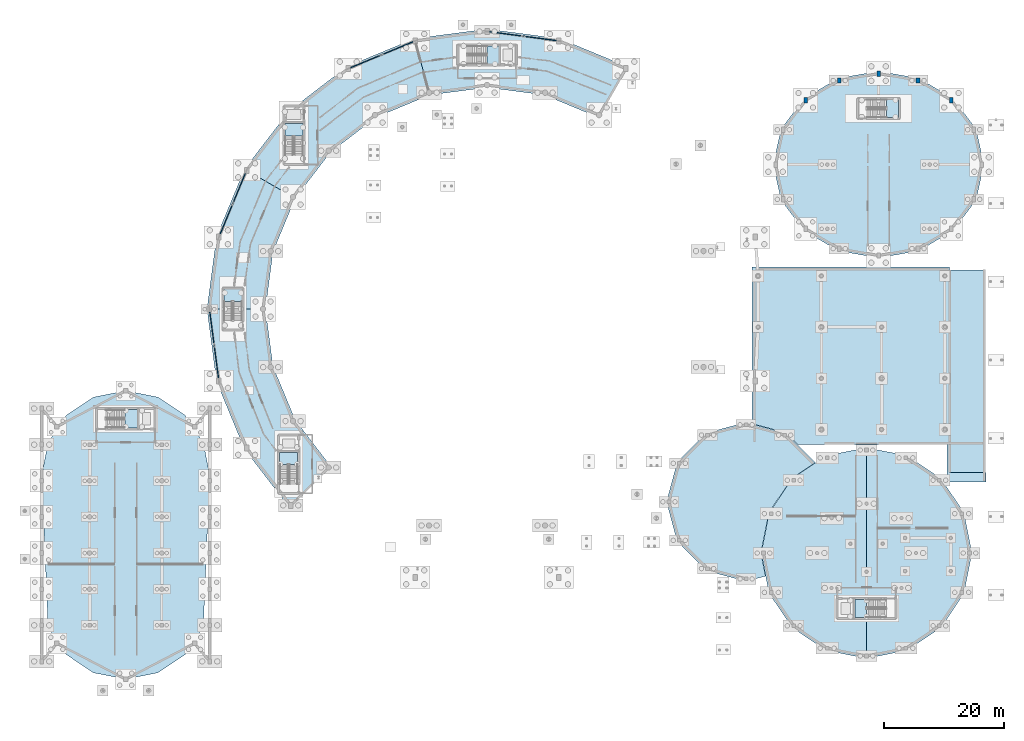
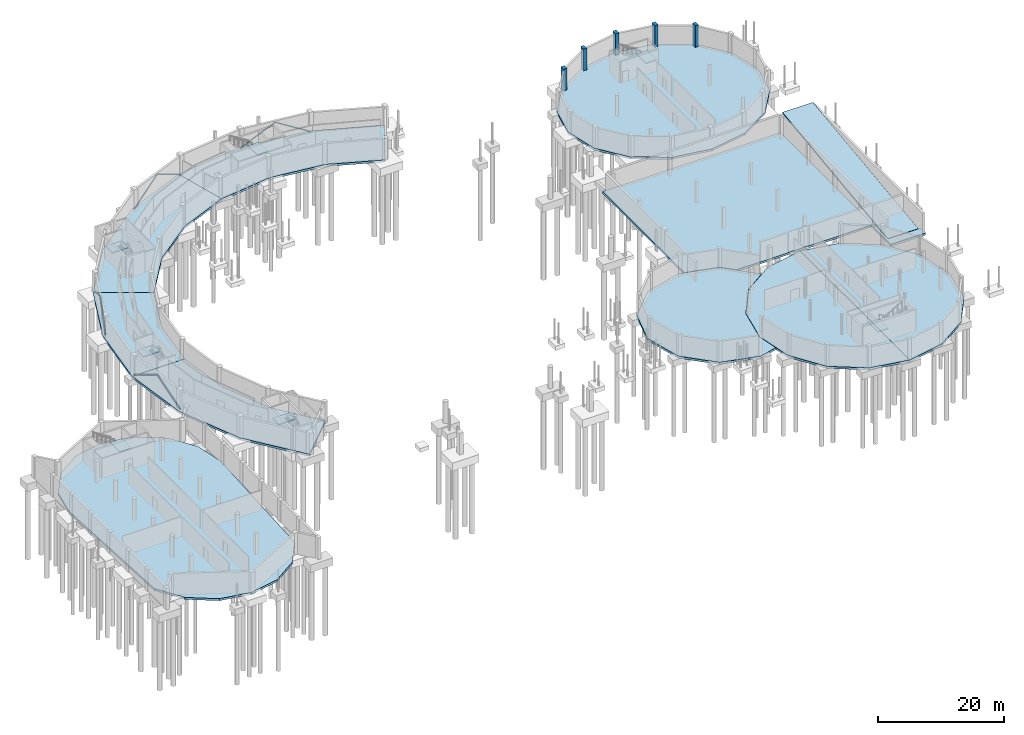
# One storey, part 27 of 43: 18 slabs, 8 members, 5 columns, 7 elements without a shape of their own.
"""IFC4 building model written with IfcOpenShell, lengths in metres."""

from ifc_helpers import new_model, si_unit, direction, frame, origin, origin_2d, place, context, subcontext, project, spatial, polyline, rectangle, hollow_circle, outline, extrude, material, layer, layer_set, material_profile, profile_set, type_object, element, aggregate, save


model = new_model("IFC4")

# Units and contexts
model_context = context("Model", 3, precision=1e-05, world=origin(), true_north=direction((0.0, 1.0)))
body_context = subcontext(model_context, "Body", "Model", "MODEL_VIEW")
ifc_project = project(units=[si_unit("LENGTHUNIT", "METRE"), si_unit("AREAUNIT", "SQUARE_METRE"), si_unit("VOLUMEUNIT", "CUBIC_METRE"), si_unit("PLANEANGLEUNIT", "RADIAN"), si_unit("MASSUNIT", "GRAM", prefix="KILO")], contexts=[model_context])

# Site, building, storey
site_placement = place(None, origin())
site = spatial("IfcSite", under=ifc_project, at=site_placement, CompositionType="ELEMENT")
building_placement = place(site_placement, origin())
building = spatial("IfcBuilding", under=site, at=building_placement, Name="Vespera Passage Community Centre", CompositionType="ELEMENT")
storey_placement = place(building_placement, frame((0.0, 0.0, -4.199951171875)))
storey = spatial("IfcBuildingStorey", under=building, at=storey_placement, Name="B1", CompositionType="ELEMENT", Elevation=-4.199951171875)

# Columns
ifc_material_1 = material(Name="Concrete f'c 45 MPa", Category="concrete")
ifc_material_profile_1 = material_profile(ifc_material_1, rectangle(XDim=0.60009765625, YDim=0.89990234375, at=origin_2d()), Name="RC900X600")
ifc_profile_set_1 = profile_set([ifc_material_profile_1], Name="Concrete f'c 45 MPa")
column_type = type_object("IfcColumnType", Name="COL-RC900X600E", PredefinedType="COLUMN", material=ifc_profile_set_1)
for number, where, z_axis, x_axis, name in (
    (1, (155.091552734375, 100.17724609375, 0.0), (0.0, 0.0, 1.0), (1.0, 0.0, 0.0), "B1 Column V2-P03"),
    (2, (149.5439453125, 103.45068359375, 0.0), (0.0, 0.0, 1.0), (1.0, 0.0, 0.0), "B1 Column V2-P04"),
    (3, (143.0, 104.60009765625, 0.0), (0.0, 0.0, 1.0), (1.0, 0.0, 0.0), "B1 Column V2-P05"),
    (4, (136.4560546875, 103.45068359375, 0.0), (0.0, 0.0, 1.0), (1.0, 0.0, 0.0), "B1 Column V2-P06"),
    (5, (130.908447265625, 100.17724609375, 0.0), (0.0, 0.0, 1.0), (1.0, 0.0, 0.0), "B1 Column V2-P07"),
):
    element("IfcColumn", number, at=place(storey_placement, frame(where, z_axis=z_axis, x_axis=x_axis)), inside=storey, type_object=column_type, Name=name, PredefinedType="COLUMN", context=body_context, shape_type="SweptSolid", body=[
        extrude(rectangle(XDim=0.60009765625, YDim=0.89990234375, at=origin_2d()), origin(), (0.0, 0.0, 1.0), 4.199951171875),
    ])

# Members
ifc_material_2 = material(Name="Steel ASTM A500 Grade C", Category="steel")
ifc_material_profile_2 = material_profile(ifc_material_2, hollow_circle(Radius=0.109619140625, WallThickness=0.01171875, at=origin_2d()), Name="CHS219X12.7")
ifc_profile_set_2 = profile_set([ifc_material_profile_2], Name="Steel ASTM A500 Grade C")
member_type = type_object("IfcMemberType", Name="LB-219", PredefinedType="BRACE", material=ifc_profile_set_2)
for number, where, z_axis, x_axis, name in (
    (6, (89.931640625, 110.029296875, 0.14990234375), (-0.864386771081, 0.113796539637, 0.489781438549), (-0.130523782115, -0.991445178667, 0.0), "B1 Chevron Lateral Brace 1A"),
    (7, (78.0, 111.60009765625, 0.14990234375), (0.864386771081, -0.113796539637, 0.489781438549), (0.130523782115, 0.991445178667, 0.0), "B1 Chevron Lateral Brace 1B"),
):
    element("IfcMember", number, at=place(storey_placement, frame(where, z_axis=z_axis, x_axis=x_axis)), inside=storey, type_object=member_type, Name=name, PredefinedType="BRACE", context=body_context, shape_type="SweptSolid", body=[
        extrude(hollow_circle(Radius=0.109619140625, WallThickness=0.01171875, at=origin_2d()), origin(), (0.0, 0.0, 1.0), 6.90185546875),
    ])
member_1_placement = place(storey_placement, frame((66.068359375, 110.029296875, 0.14990234375), z_axis=(-0.805470480473, -0.333649432228, 0.489791140651), x_axis=(0.38269580244, -0.923874408562, 0.0)))
element("IfcMember", 8, at=member_1_placement, inside=storey, type_object=member_type, Name="B1 Chevron Lateral Brace 2A", PredefinedType="BRACE", context=body_context, shape_type="SweptSolid", body=[
    extrude(hollow_circle(Radius=0.109619140625, WallThickness=0.01171875, at=origin_2d()), origin(), (0.0, 0.0, 1.0), 6.901611328125),
])
for number, where, z_axis, x_axis, name in (
    (9, (54.949951171875, 105.423828125, 0.14990234375), (0.805482903973, 0.333639925795, 0.489777185385), (-0.382681457403, 0.923880350565, 0.0), "B1 Chevron Lateral Brace 2B"),
    (10, (38.076171875, 88.550048828125, 0.14990234375), (-0.333639925795, -0.805482903973, 0.489777185385), (0.923880350565, -0.382681457403, 0.0), "B1 Chevron Lateral Brace 3A"),
):
    element("IfcMember", number, at=place(storey_placement, frame(where, z_axis=z_axis, x_axis=x_axis)), inside=storey, type_object=member_type, Name=name, PredefinedType="BRACE", context=body_context, shape_type="SweptSolid", body=[
        extrude(hollow_circle(Radius=0.109619140625, WallThickness=0.01171875, at=origin_2d()), origin(), (0.0, 0.0, 1.0), 6.90185546875),
    ])
member_2_placement = place(storey_placement, frame((33.470703125, 77.431640625, 0.14990234375), z_axis=(0.333649432228, 0.805470480473, 0.489791140651), x_axis=(-0.923874408562, 0.38269580244, 0.0)))
element("IfcMember", 11, at=member_2_placement, inside=storey, type_object=member_type, Name="B1 Chevron Lateral Brace 3B", PredefinedType="BRACE", context=body_context, shape_type="SweptSolid", body=[
    extrude(hollow_circle(Radius=0.109619140625, WallThickness=0.01171875, at=origin_2d()), origin(), (0.0, 0.0, 1.0), 6.901611328125),
])
for number, where, z_axis, x_axis, name in (
    (12, (31.89990234375, 65.5, 0.14990234375), (0.113796539637, -0.864386771081, 0.489781438549), (0.991445178667, 0.130523782115, 0.0), "B1 Chevron Lateral Brace 4A"),
    (13, (33.470703125, 53.568359375, 0.14990234375), (-0.113796539637, 0.864386771081, 0.489781438549), (-0.991445178667, -0.130523782115, 0.0), "B1 Chevron Lateral Brace 4B"),
):
    element("IfcMember", number, at=place(storey_placement, frame(where, z_axis=z_axis, x_axis=x_axis)), inside=storey, type_object=member_type, Name=name, PredefinedType="BRACE", context=body_context, shape_type="SweptSolid", body=[
        extrude(hollow_circle(Radius=0.109619140625, WallThickness=0.01171875, at=origin_2d()), origin(), (0.0, 0.0, 1.0), 6.90185546875),
    ])

# Slabs
ifc_material_3 = material(Name="Concrete f'c 35 MPa", Category="concrete")
ifc_layer_1 = layer(ifc_material_3, 0.39990234375)
ifc_layer_set_1 = layer_set([ifc_layer_1], Name="Concrete f'c 35 MPa")
slab_type_1 = type_object("IfcSlabType", Name="SL-BASE-400", PredefinedType="BASESLAB", material=ifc_layer_set_1)
slab_1_placement = place(storey_placement, frame((0.0, 0.0, -0.400146484375)))
element("IfcSlab", 14, at=slab_1_placement, inside=storey, type_object=slab_type_1, Name="V1 B1 Base Slab", PredefinedType="BASESLAB", context=body_context, shape_type="SweptSolid", body=[
    extrude(outline(polyline([(31.949951171875, 38.0), (30.88818359375, 43.33837890625), (27.864013671875, 47.864013671875), (23.33837890625, 50.88818359375), (18.0, 51.949951171875), (12.66162109375, 50.88818359375), (8.135986328125, 47.864013671875), (5.11181640625, 43.33837890625), (4.050048828125, 38.0), (5.11181640625, 12.66162109375), (8.135986328125, 8.135986328125), (12.66162109375, 5.11181640625), (18.0, 4.050048828125), (23.33837890625, 5.11181640625), (27.864013671875, 8.135986328125), (30.88818359375, 12.66162109375), (31.949951171875, 38.0)])), origin(), (0.0, 0.0, 1.0), 0.400146484375),
])
slab_2_placement = place(storey_placement, frame((0.0, 0.0, -0.400146484375)))
element("IfcSlab", 15, at=slab_2_placement, inside=storey, type_object=slab_type_1, Name="V2 B1 Base Slab", PredefinedType="BASESLAB", context=body_context, shape_type="SweptSolid", body=[
    extrude(outline(polyline([(160.5, 89.5), (159.16796875, 95.431640625), (155.37451171875, 100.460205078125), (149.697021484375, 103.820068359375), (143.0, 105.0), (136.302978515625, 103.820068359375), (130.62548828125, 100.460205078125), (126.83203125, 95.431640625), (125.5, 89.5), (126.83203125, 83.568359375), (130.62548828125, 78.539794921875), (136.302978515625, 75.179931640625), (143.0, 74.0), (149.697021484375, 75.179931640625), (155.37451171875, 78.539794921875), (159.16796875, 83.568359375), (160.5, 89.5)])), origin(), (0.0, 0.0, 1.0), 0.400146484375),
])
slab_3_placement = place(storey_placement, frame((0.0, 0.0, -0.400146484375)))
element("IfcSlab", 16, at=slab_3_placement, inside=storey, type_object=slab_type_1, Name="V3 B1 W Sector Slab", PredefinedType="BASESLAB", context=body_context, shape_type="SweptSolid", body=[
    extrude(outline(polyline([(134.302978515625, 8.83203125), (128.62548828125, 12.62548828125), (124.83203125, 18.302978515625), (123.5, 25.0), (124.83203125, 31.697021484375), (128.62548828125, 37.37451171875), (134.302978515625, 41.16796875), (141.0, 42.5), (141.0, 7.5), (134.302978515625, 8.83203125)])), origin(), (0.0, 0.0, 1.0), 0.400146484375),
])
slab_4_placement = place(storey_placement, frame((0.0, 0.0, -0.400146484375)))
element("IfcSlab", 17, at=slab_4_placement, inside=storey, type_object=slab_type_1, Name="V3 B1 E Sector Slab", PredefinedType="BASESLAB", context=body_context, shape_type="SweptSolid", body=[
    extrude(outline(polyline([(147.697021484375, 41.16796875), (153.37451171875, 37.37451171875), (157.16796875, 31.697021484375), (158.5, 25.0), (157.16796875, 18.302978515625), (153.37451171875, 12.62548828125), (147.697021484375, 8.83203125), (141.0, 7.5), (141.0, 42.5), (147.697021484375, 41.16796875)])), origin(), (0.0, 0.0, 1.0), 0.400146484375),
])
slab_5_placement = place(storey_placement, frame((0.0, 0.0, -0.400146484375)))
element("IfcSlab", 18, at=slab_5_placement, inside=storey, type_object=slab_type_1, Name="V3A B1 Cafe Wing Base Slab", PredefinedType="BASESLAB", context=body_context, shape_type="SweptSolid", body=[
    extrude(outline(polyline([(121.0, 20.300048828125), (114.39990234375, 22.068603515625), (109.568603515625, 26.89990234375), (107.800048828125, 33.5), (109.568603515625, 40.10009765625), (114.39990234375, 44.931396484375), (121.0, 46.699951171875), (127.60009765625, 44.931396484375), (132.431396484375, 40.10009765625), (132.46484375, 39.9755859375), (128.60400390625, 37.39599609375), (124.8037109375, 31.708740234375), (123.469482421875, 25.0), (124.23193359375, 21.166015625), (121.0, 20.300048828125)])), origin(), (0.0, 0.0, 1.0), 0.400146484375),
])
slab_6_placement = place(storey_placement, frame((0.0, 0.0, -0.400146484375)))
element("IfcSlab", 19, at=slab_6_placement, inside=storey, type_object=slab_type_1, Name="B1 Structured Car Park Base Slab", PredefinedType="BASESLAB", context=body_context, shape_type="SweptSolid", body=[
    extrude(outline(polyline([(154.39990234375, 36.800048828125), (154.39990234375, 38.389892578125), (154.39990234375, 43.0), (129.573974609375, 43.0), (127.615478515625, 44.95849609375), (122.0, 46.463134765625), (122.0, 72.5), (154.780029296875, 72.5), (154.780029296875, 44.0), (154.780029296875, 43.0), (154.780029296875, 38.389892578125), (160.800048828125, 38.389892578125), (160.800048828125, 36.800048828125), (154.780029296875, 36.800048828125), (154.39990234375, 36.800048828125)])), origin(), (0.0, 0.0, 1.0), 0.400146484375),
])
slab_7_placement = place(storey_placement, frame((0.0, 0.0, -0.400146484375)))
element("IfcSlab", 20, at=slab_7_placement, inside=storey, type_object=slab_type_1, Name="V4 B1 Annular Sector 1 Slab", PredefinedType="BASESLAB", context=body_context, shape_type="SweptSolid", body=[
    extrude(outline(polyline([(101.25, 105.770263671875), (90.03515625, 110.41552734375), (78.0, 112.0), (65.96484375, 110.41552734375), (68.4755859375, 101.046142578125), (78.0, 102.300048828125), (87.5244140625, 101.046142578125), (96.39990234375, 97.36962890625), (101.25, 105.770263671875)])), origin(), (0.0, 0.0, 1.0), 0.400146484375),
])
slab_8_placement = place(storey_placement, frame((0.0, 0.0, -0.400146484375)))
element("IfcSlab", 21, at=slab_8_placement, inside=storey, type_object=slab_type_1, Name="V4 B1 Annular Sector 2 Slab", PredefinedType="BASESLAB", context=body_context, shape_type="SweptSolid", body=[
    extrude(outline(polyline([(65.96484375, 110.41552734375), (54.75, 105.770263671875), (45.119384765625, 98.380615234375), (37.729736328125, 88.75), (46.13037109375, 83.89990234375), (51.978515625, 91.521484375), (59.60009765625, 97.36962890625), (68.4755859375, 101.046142578125), (65.96484375, 110.41552734375)])), origin(), (0.0, 0.0, 1.0), 0.400146484375),
])
slab_9_placement = place(storey_placement, frame((0.0, 0.0, -0.400146484375)))
element("IfcSlab", 22, at=slab_9_placement, inside=storey, type_object=slab_type_1, Name="V4 B1 Annular Sector 3 Slab", PredefinedType="BASESLAB", context=body_context, shape_type="SweptSolid", body=[
    extrude(outline(polyline([(37.729736328125, 88.75), (33.08447265625, 77.53515625), (31.5, 65.5), (41.199951171875, 65.5), (42.453857421875, 75.0244140625), (46.13037109375, 83.89990234375), (37.729736328125, 88.75)])), origin(), (0.0, 0.0, 1.0), 0.400146484375),
])
slab_10_placement = place(storey_placement, frame((0.0, 0.0, -0.400146484375)))
element("IfcSlab", 23, at=slab_10_placement, inside=storey, type_object=slab_type_1, Name="V4 B1 Annular Sector 4 Slab", PredefinedType="BASESLAB", context=body_context, shape_type="SweptSolid", body=[
    extrude(outline(polyline([(31.5, 65.5), (33.08447265625, 53.46484375), (37.729736328125, 42.25), (45.119384765625, 32.619384765625), (51.978515625, 39.478515625), (46.13037109375, 47.10009765625), (42.453857421875, 55.9755859375), (41.199951171875, 65.5), (31.5, 65.5)])), origin(), (0.0, 0.0, 1.0), 0.400146484375),
])

# Stair, slab
ifc_material_4 = material(Name="Concrete f'c 35 MPa", Category="concrete")
stair_type_1 = type_object("IfcStairType", Name="ST-T01", PredefinedType="HALF_TURN_STAIR", material=ifc_material_4)
stair_1_placement = place(storey_placement, origin())
stair_1 = element("IfcStair", 24, at=stair_1_placement, inside=storey, type_object=stair_type_1, Name="B1 Core C1 Exit Stair ST03", PredefinedType="HALF_TURN_STAIR")
ifc_material_5 = material(Name="Concrete f'c 35 MPa", Category="concrete")
ifc_layer_2 = layer(ifc_material_5, 0.199951171875)
ifc_layer_set_2 = layer_set([ifc_layer_2], Name="Concrete f'c 35 MPa")
slab_type_2 = type_object("IfcSlabType", Name="SL-LAND-200I", PredefinedType="LANDING", material=ifc_layer_set_2)
slab_11_placement = place(storey_placement, frame((0.0, 0.0, 1.89990234375)))
slab_11 = element("IfcSlab", 25, at=slab_11_placement, type_object=slab_type_2, Name="ST03 landing 1", PredefinedType="LANDING", context=body_context, shape_type="SweptSolid", body=[
    extrude(outline(polyline([(47.43310546875, 94.212890625), (47.43310546875, 96.327880859375), (44.43310546875, 96.327880859375), (44.43310546875, 94.212890625), (47.43310546875, 94.212890625)])), origin(), (0.0, 0.0, 1.0), 0.199951171875),
])
aggregate(stair_1, [slab_11])

ifc_material_6 = material(Name="Concrete f'c 35 MPa", Category="concrete")
stair_type_2 = type_object("IfcStairType", Name="ST-T04", PredefinedType="HALF_TURN_STAIR", material=ifc_material_6)
stair_2_placement = place(storey_placement, origin())
stair_2 = element("IfcStair", 26, at=stair_2_placement, inside=storey, type_object=stair_type_2, Name="B1 Core C2 Exit Stair ST04", PredefinedType="HALF_TURN_STAIR")
slab_12_placement = place(storey_placement, frame((0.0, 0.0, 1.89990234375)))
slab_12 = element("IfcSlab", 27, at=slab_12_placement, type_object=slab_type_2, Name="ST04 landing 1", PredefinedType="LANDING", context=body_context, shape_type="SweptSolid", body=[
    extrude(outline(polyline([(37.300048828125, 66.764892578125), (37.300048828125, 68.824951171875), (34.300048828125, 68.824951171875), (34.300048828125, 66.764892578125), (37.300048828125, 66.764892578125)])), origin(), (0.0, 0.0, 1.0), 0.199951171875),
])
aggregate(stair_2, [slab_12])

ifc_material_7 = material(Name="Concrete f'c 35 MPa", Category="concrete")
stair_type_3 = type_object("IfcStairType", Name="ST-T07", PredefinedType="HALF_TURN_STAIR", material=ifc_material_7)
stair_3_placement = place(storey_placement, origin())
stair_3 = element("IfcStair", 28, at=stair_3_placement, inside=storey, type_object=stair_type_3, Name="B1 Core C3 Exit Stair ST05", PredefinedType="HALF_TURN_STAIR")
slab_13_placement = place(storey_placement, frame((0.0, 0.0, 1.89990234375)))
slab_13 = element("IfcSlab", 29, at=slab_13_placement, type_object=slab_type_2, Name="ST05 landing 1", PredefinedType="LANDING", context=body_context, shape_type="SweptSolid", body=[
    extrude(outline(polyline([(46.56103515625, 39.715087890625), (46.56103515625, 41.719970703125), (43.56103515625, 41.719970703125), (43.56103515625, 39.715087890625), (46.56103515625, 39.715087890625)])), origin(), (0.0, 0.0, 1.0), 0.199951171875),
])
aggregate(stair_3, [slab_13])

ifc_material_8 = material(Name="Concrete f'c 35 MPa", Category="concrete")
stair_type_4 = type_object("IfcStairType", Name="ST-T10", PredefinedType="HALF_TURN_STAIR", material=ifc_material_8)
stair_4_placement = place(storey_placement, origin())
stair_4 = element("IfcStair", 30, at=stair_4_placement, inside=storey, type_object=stair_type_4, Name="B1 Core C4 Exit Stair ST06", PredefinedType="HALF_TURN_STAIR")
slab_14_placement = place(storey_placement, frame((0.0, 0.0, 1.89990234375)))
slab_14 = element("IfcSlab", 31, at=slab_14_placement, type_object=slab_type_2, Name="ST06 landing 1", PredefinedType="LANDING", context=body_context, shape_type="SweptSolid", body=[
    extrude(outline(polyline([(78.0048828125, 106.199951171875), (79.955078125, 106.199951171875), (79.955078125, 109.199951171875), (78.0048828125, 109.199951171875), (78.0048828125, 106.199951171875)])), origin(), (0.0, 0.0, 1.0), 0.199951171875),
])
aggregate(stair_4, [slab_14])

ifc_material_9 = material(Name="Concrete f'c 35 MPa", Category="concrete")
stair_type_5 = type_object("IfcStairType", Name="ST-T13", PredefinedType="HALF_TURN_STAIR", material=ifc_material_9)
stair_5_placement = place(storey_placement, origin())
stair_5 = element("IfcStair", 32, at=stair_5_placement, inside=storey, type_object=stair_type_5, Name="B1 Core C5 Exit Stair ST01", PredefinedType="HALF_TURN_STAIR")
slab_15_placement = place(storey_placement, frame((0.0, 0.0, 1.89990234375)))
slab_15 = element("IfcSlab", 33, at=slab_15_placement, type_object=slab_type_2, Name="ST01 landing 1", PredefinedType="LANDING", context=body_context, shape_type="SweptSolid", body=[
    extrude(outline(polyline([(17.860107421875, 45.780029296875), (19.955078125, 45.780029296875), (19.955078125, 48.820068359375), (17.860107421875, 48.820068359375), (17.860107421875, 45.780029296875)])), origin(), (0.0, 0.0, 1.0), 0.199951171875),
])
aggregate(stair_5, [slab_15])

stair_6_placement = place(storey_placement, origin())
stair_6 = element("IfcStair", 34, at=stair_6_placement, inside=storey, type_object=stair_type_3, Name="B1 Core C6 Exit Stair ST07", PredefinedType="HALF_TURN_STAIR")
slab_16_placement = place(storey_placement, frame((0.0, 0.0, 1.89990234375)))
slab_16 = element("IfcSlab", 35, at=slab_16_placement, type_object=slab_type_2, Name="ST07 landing 1", PredefinedType="LANDING", context=body_context, shape_type="SweptSolid", body=[
    extrude(outline(polyline([(144.320068359375, 97.300048828125), (146.324951171875, 97.300048828125), (146.324951171875, 100.300048828125), (144.320068359375, 100.300048828125), (144.320068359375, 97.300048828125)])), origin(), (0.0, 0.0, 1.0), 0.199951171875),
])
aggregate(stair_6, [slab_16])

stair_7_placement = place(storey_placement, origin())
stair_7 = element("IfcStair", 36, at=stair_7_placement, inside=storey, type_object=stair_type_4, Name="B1 Core C7 Exit Stair ST08", PredefinedType="HALF_TURN_STAIR")
slab_17_placement = place(storey_placement, frame((0.0, 0.0, 1.89990234375)))
slab_17 = element("IfcSlab", 37, at=slab_17_placement, type_object=slab_type_2, Name="ST08 landing 1", PredefinedType="LANDING", context=body_context, shape_type="SweptSolid", body=[
    extrude(outline(polyline([(140.9951171875, 17.300048828125), (139.044921875, 17.300048828125), (139.044921875, 14.300048828125), (140.9951171875, 14.300048828125), (140.9951171875, 17.300048828125)])), origin(), (0.0, 0.0, 1.0), 0.199951171875),
])
aggregate(stair_7, [slab_17])

# Slab
ifc_material_10 = material(Name="Concrete f'c 45 MPa", Category="concrete")
ifc_layer_3 = layer(ifc_material_10, 0.25)
ifc_layer_set_3 = layer_set([ifc_layer_3], Name="Concrete f'c 45 MPa")
slab_type_3 = type_object("IfcSlabType", Name="SL-VRAMP-250", PredefinedType="ROOF", material=ifc_layer_set_3)
slab_18_placement = place(storey_placement, frame((154.800048828125, 38.39990234375, 0.0), z_axis=(0.0, -0.124032959829, 0.992278098557), x_axis=(1.0, 0.0, 0.0)))
element("IfcSlab", 38, at=slab_18_placement, inside=storey, type_object=slab_type_3, Name="Basement Car Park Vehicle Ramp Structural Concrete Slab VR1", PredefinedType="ROOF", context=body_context, shape_type="SweptSolid", body=[
    extrude(outline(polyline([(0.0, 0.0), (5.599853515625, 0.0), (5.599853515625, 33.861573388660936), (0.0, 33.861573388660936), (0.0, 0.0)])), origin(), (0.0, 0.0, -1.0), 0.25),
])

save(model, "model.ifc")
